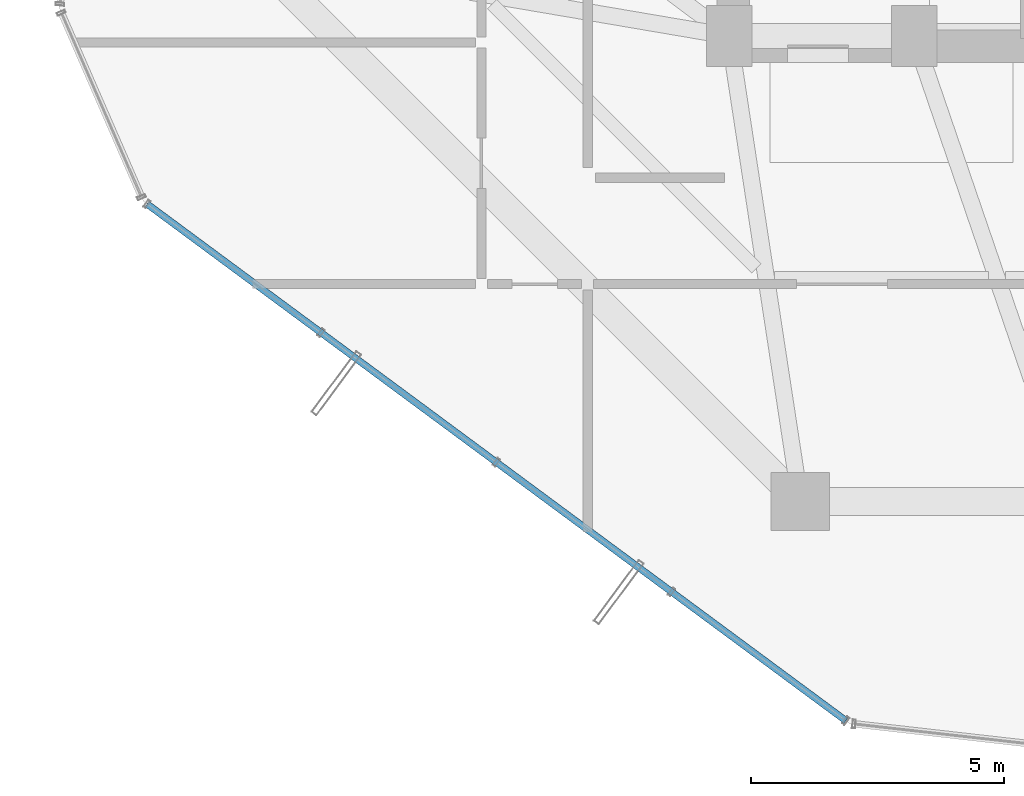
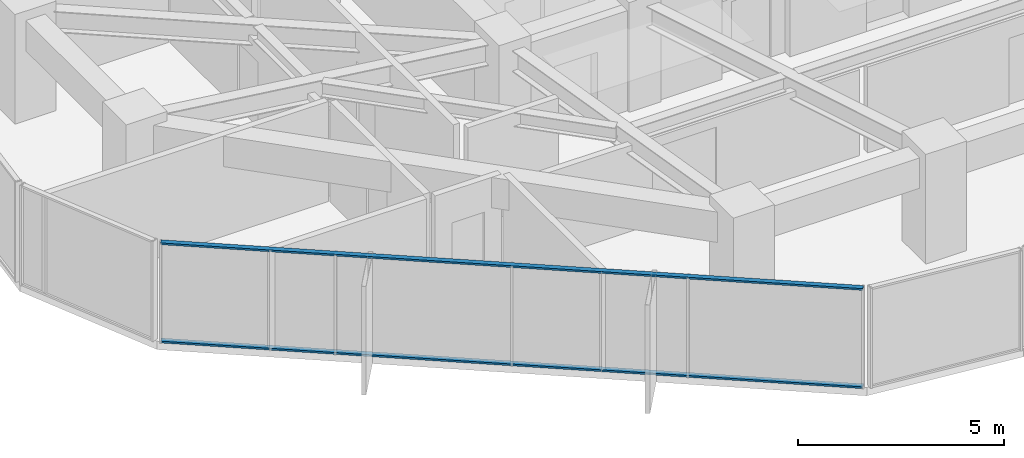
# One storey, part 3 of 29: 2 members, 1 element without a shape of its own.
"""IFC4 building model written with IfcOpenShell, lengths in metres."""

import ifcopenshell
import ifcopenshell.guid

model = None  # the IFC model being written
_history = None  # IfcOwnerHistory: only IFC2X3 demands one
_inside = {}  # id of a spatial element -> (the spatial element, [elements in it])
_under = {}  # id of a project, library or spatial element -> (it, [spatial elements below it])
_declared = {}  # id of a project -> (the project, [libraries it declares])
_typed = {}  # id of a type object -> (the type object, [elements of that type])
_made_of = {}  # id of a material, layer set ... -> (it, [elements and type objects made of it])


def new_model(schema):
    """Start an empty IFC model of exactly this schema.

    Asked for "IFC4X3", IfcOpenShell would pick the latest addendum, in which some entities
    have other attributes; the version numbers below select the first issue.
    IFC2X3 requires an IfcOwnerHistory on every rooted entity: one is made here for all.
    """
    global model, _history
    if schema == "IFC4X3":
        model = ifcopenshell.file(schema_version=(4, 3, 0, 0))
    else:
        model = ifcopenshell.file(schema=schema)
    _inside.clear()
    _under.clear()
    _declared.clear()
    _typed.clear()
    _made_of.clear()
    _history = None
    if model.schema == "IFC2X3":
        org = make("IfcOrganization", Name="unknown")
        user = make(
            "IfcPersonAndOrganization",
            ThePerson=make("IfcPerson", FamilyName="unknown"),
            TheOrganization=org,
        )
        app = make(
            "IfcApplication",
            ApplicationDeveloper=org,
            Version="unknown",
            ApplicationFullName="unknown",
            ApplicationIdentifier="unknown",
        )
        _history = make(
            "IfcOwnerHistory",
            OwningUser=user,
            OwningApplication=app,
            ChangeAction="ADDED",
            CreationDate=0,
        )
    return model


def make(cls, **values):
    """One entity of the class cls with the attributes given. An attribute that is None is left unset."""
    return model.create_entity(
        cls, **{name: value for name, value in values.items() if value is not None}
    )


def rooted(cls, **values):
    """An entity with a GlobalId (a new one), such as an element, a storey or a relation."""
    return make(cls, GlobalId=ifcopenshell.guid.new(), OwnerHistory=_history, **values)


def si_unit(unit_type, name, prefix=None):
    """IfcSIUnit, for example si_unit("LENGTHUNIT", "METRE", prefix="MILLI")."""
    return make("IfcSIUnit", UnitType=unit_type, Prefix=prefix, Name=name)


def assignment(units):
    """IfcUnitAssignment: the units of a project."""
    return None if units is None else make("IfcUnitAssignment", Units=units)


def point(xyz):
    """IfcCartesianPoint."""
    return None if xyz is None else make("IfcCartesianPoint", Coordinates=xyz)


def direction(xyz):
    """IfcDirection."""
    return None if xyz is None else make("IfcDirection", DirectionRatios=xyz)


def frame(location, z_axis=None, x_axis=None):
    """IfcAxis2Placement3D, a coordinate frame: its origin and axes. An axis left out is left unset."""
    return make(
        "IfcAxis2Placement3D",
        Location=point(location),
        Axis=direction(z_axis),
        RefDirection=direction(x_axis),
    )


def frame_2d(location, x_axis=None):
    """IfcAxis2Placement2D, a coordinate frame in the plane: its origin and x axis."""
    return make(
        "IfcAxis2Placement2D", Location=point(location), RefDirection=direction(x_axis)
    )


def origin():
    """The frame at (0, 0, 0) with its axes left unset."""
    return frame((0.0, 0.0, 0.0))


def origin_2d():
    """The frame at (0, 0) in the plane with its x axis left unset."""
    return frame_2d((0.0, 0.0))


def place(relative_to, where):
    """IfcLocalPlacement: puts the frame where relative to a parent placement (None: the world)."""
    return make(
        "IfcLocalPlacement", PlacementRelTo=relative_to, RelativePlacement=where
    )


def context(
    kind, dimensions, precision=None, world=None, true_north=None, identifier=None
):
    """IfcGeometricRepresentationContext, for example the 3D "Model" context."""
    return make(
        "IfcGeometricRepresentationContext",
        ContextIdentifier=identifier,
        ContextType=kind,
        CoordinateSpaceDimension=dimensions,
        Precision=precision,
        WorldCoordinateSystem=world,
        TrueNorth=true_north,
    )


def subcontext(parent, identifier, kind, view, scale=None):
    """IfcGeometricRepresentationSubContext, for example "Body" below "Model"."""
    return make(
        "IfcGeometricRepresentationSubContext",
        ContextIdentifier=identifier,
        ContextType=kind,
        ParentContext=parent,
        TargetScale=scale,
        TargetView=view,
    )


def project(units=None, contexts=None):
    """IfcProject with its units and contexts."""
    return rooted(
        "IfcProject",
        Name="project",
        RepresentationContexts=contexts,
        UnitsInContext=assignment(units),
    )


def spatial(cls, under=None, at=None, **own):
    """A site, building, storey or space (cls), placed at a placement, below another one or the project."""
    s = rooted(cls, ObjectPlacement=at, **own)
    if under is not None:
        _under.setdefault(under.id(), (under, []))[1].append(s)
    return s


def profile(cls, at=None, kind="AREA", **sizes):
    """A parametric profile (cls). Its sizes go by their IFC names, for example OverallWidth=200.0."""
    return make(cls, ProfileType=kind, Position=at, **sizes)


def hollow_rectangle(**sizes):
    """IfcRectangleHollowProfileDef."""
    return profile("IfcRectangleHollowProfileDef", **sizes)


def extrude(swept, where, along, depth):
    """IfcExtrudedAreaSolid: the profile swept, set in the frame where, extruded along a direction by depth."""
    return make(
        "IfcExtrudedAreaSolid",
        SweptArea=swept,
        Position=where,
        ExtrudedDirection=direction(along),
        Depth=depth,
    )


def shape(context_of_items, identifier, shape_type, items):
    """IfcShapeRepresentation: the items that make up one representation, for example the "Body"."""
    return make(
        "IfcShapeRepresentation",
        ContextOfItems=context_of_items,
        RepresentationIdentifier=identifier,
        RepresentationType=shape_type,
        Items=items,
    )


def source(mapping_origin, context_of_items, identifier, shape_type, items):
    """IfcRepresentationMap: a shape defined once, which mapped items show again and again."""
    return make(
        "IfcRepresentationMap",
        MappingOrigin=mapping_origin,
        MappedRepresentation=shape(context_of_items, identifier, shape_type, items),
    )


def transform(
    local_origin,
    x_axis=None,
    y_axis=None,
    z_axis=None,
    scale=None,
    scale2=None,
    scale3=None,
    uniform=True,
):
    """IfcCartesianTransformationOperator3D, or its non-uniform kind. x_axis, y_axis, z_axis: its Axis1, 2, 3."""
    if uniform:
        return make(
            "IfcCartesianTransformationOperator3D",
            Axis1=direction(x_axis),
            Axis2=direction(y_axis),
            LocalOrigin=point(local_origin),
            Scale=scale,
            Axis3=direction(z_axis),
        )
    return make(
        "IfcCartesianTransformationOperator3DnonUniform",
        Axis1=direction(x_axis),
        Axis2=direction(y_axis),
        LocalOrigin=point(local_origin),
        Scale=scale,
        Axis3=direction(z_axis),
        Scale2=scale2,
        Scale3=scale3,
    )


def mapped(mapping_source, mapping_target):
    """IfcMappedItem: shows the shape of a source again, moved by a transform."""
    return make(
        "IfcMappedItem", MappingSource=mapping_source, MappingTarget=mapping_target
    )


def material(Name=None, Category=None):
    """IfcMaterial."""
    return make("IfcMaterial", Name=Name, Category=Category)


def layer(
    of_material, thickness, ventilated=None, Name=None, Category=None, Priority=None
):
    """IfcMaterialLayer: one layer of a wall or slab, of a material (None: an air gap)."""
    return make(
        "IfcMaterialLayer",
        Material=of_material,
        LayerThickness=thickness,
        IsVentilated=ventilated,
        Name=Name,
        Category=Category,
        Priority=Priority,
    )


def layer_set(layers, Name=None):
    """IfcMaterialLayerSet."""
    return make("IfcMaterialLayerSet", MaterialLayers=layers, LayerSetName=Name)


def material_profile(
    of_material, cross_section, Name=None, Category=None, Priority=None
):
    """IfcMaterialProfile: a cross section and its material."""
    return make(
        "IfcMaterialProfile",
        Name=Name,
        Material=of_material,
        Profile=cross_section,
        Priority=Priority,
        Category=Category,
    )


def profile_set(profiles, Name=None, composite=None):
    """IfcMaterialProfileSet."""
    return make(
        "IfcMaterialProfileSet",
        Name=Name,
        MaterialProfiles=profiles,
        CompositeProfile=composite,
    )


def made_of(thing, what):
    """Note that an element or type object is made of a material, layer set ...; save() writes the relation."""
    if what is not None:
        _made_of.setdefault(what.id(), (what, []))[1].append(thing)
    return thing


def type_object(cls, material=None, **own):
    """A type object (cls), such as IfcWallType, which elements share."""
    return made_of(rooted(cls, **own), material)


def element(
    cls,
    number,
    at=None,
    inside=None,
    cuts=None,
    type_object=None,
    material=None,
    context=None,
    identifier="Body",
    shape_type=None,
    held_by="IfcProductDefinitionShape",
    body=None,
    shapes=None,
    **own,
):
    """One element of the class cls, such as IfcWall. Its Tag is "e" and its number.

    at: its placement. inside: the storey or other place that contains it. cuts: it is an
    opening in that element (IfcRelVoidsElement). A single representation is given by context,
    identifier, shape_type and body (its items); several are given by shapes. held_by: the class
    of the entity that holds the representations. save() writes the other relations.
    """
    e = rooted(cls, Tag="e%d" % number, ObjectPlacement=at, **own)
    if body is not None:
        shapes = [shape(context, identifier, shape_type, body)]
    if shapes is not None:
        e.Representation = make(held_by, Representations=shapes)
    if inside is not None:
        _inside.setdefault(inside.id(), (inside, []))[1].append(e)
    if cuts is not None:
        rooted(
            "IfcRelVoidsElement", RelatingBuildingElement=cuts, RelatedOpeningElement=e
        )
    if type_object is not None:
        _typed.setdefault(type_object.id(), (type_object, []))[1].append(e)
    return made_of(e, material)


def aggregate(whole, parts):
    """IfcRelAggregates: a whole, such as a stair, and the parts it consists of."""
    return rooted("IfcRelAggregates", RelatingObject=whole, RelatedObjects=parts)


def save(model, path):
    """Write the relations noted so far, then the file.

    IfcRelAggregates (storeys below a building ...), IfcRelContainedInSpatialStructure (elements
    in a storey), IfcRelDefinesByType, IfcRelAssociatesMaterial and IfcRelDeclares: one each for
    every whole, place, type object, material and project.
    """
    for whole, parts in _under.values():
        aggregate(whole, parts)
    for where, things in _inside.values():
        rooted(
            "IfcRelContainedInSpatialStructure",
            RelatedElements=things,
            RelatingStructure=where,
        )
    for kind, things in _typed.values():
        rooted("IfcRelDefinesByType", RelatedObjects=things, RelatingType=kind)
    for what, things in _made_of.values():
        rooted("IfcRelAssociatesMaterial", RelatedObjects=things, RelatingMaterial=what)
    for by, libraries in _declared.values():
        rooted("IfcRelDeclares", RelatingContext=by, RelatedDefinitions=libraries)
    model.write(path)


model = new_model("IFC4")

# Units and contexts
model_context = context("Model", 3, precision=1e-05, world=origin(), true_north=direction((0.0, 1.0)))
body_context = subcontext(model_context, "Body", "Model", "MODEL_VIEW")
ifc_project = project(units=[si_unit("LENGTHUNIT", "METRE"), si_unit("AREAUNIT", "SQUARE_METRE"), si_unit("VOLUMEUNIT", "CUBIC_METRE"), si_unit("PLANEANGLEUNIT", "RADIAN"), si_unit("MASSUNIT", "GRAM", prefix="KILO")], contexts=[model_context])

# Site, building, storey
site_placement = place(None, origin())
site = spatial("IfcSite", under=ifc_project, at=site_placement, CompositionType="ELEMENT")
building_placement = place(site_placement, origin())
building = spatial("IfcBuilding", under=site, at=building_placement, Name="Veraguas Prism Commons", CompositionType="ELEMENT")
storey_placement = place(building_placement, frame((0.0, 0.0, 105.699951171875)))
storey = spatial("IfcBuildingStorey", under=building, at=storey_placement, Name="L29", CompositionType="ELEMENT", Elevation=105.699951171875)

# Curtain wall, members
ifc_material = material(Name="Anodised aluminium EN AW-6063 T6", Category="aluminium")
ifc_layer = layer(ifc_material, 0.169921875, Name="Unitised Flush Curtain Wall Zone 2", Category="aluminium")
ifc_layer_set = layer_set([ifc_layer], Name="Anodised aluminium EN AW-6063 T6")
curtain_wall_type = type_object("IfcCurtainWallType", Name="Unitised Flush Curtain Wall Zone 2", PredefinedType="NOTDEFINED", material=ifc_layer_set)
curtain_wall_placement = place(storey_placement, origin())
curtain_wall = element("IfcCurtainWall", 1, at=curtain_wall_placement, inside=storey, type_object=curtain_wall_type, Name="Tower Facade Curtain Wall L29-F4", PredefinedType="NOTDEFINED")
ifc_material_profile = material_profile(ifc_material, hollow_rectangle(XDim=0.054931640625, YDim=0.135009765625, WallThickness=0.0029296875, at=origin_2d()), Name="AL55X135X3")
ifc_profile_set = profile_set([ifc_material_profile], Name="Anodised aluminium EN AW-6063 T6")
member_type = type_object("IfcMemberType", Name="Curtain Wall Transom Standard AL 55x135x3", PredefinedType="USERDEFINED", material=ifc_profile_set)
shared_shape = source(origin(), body_context, "Body", "SweptSolid", [
    extrude(hollow_rectangle(XDim=0.054931640625, YDim=0.135009765625, WallThickness=0.0029296875, at=origin_2d()), origin(), (0.0, 0.0, 1.0), 17.174560546875),
])
member_1_placement = place(storey_placement, frame((5.6904296875, 13.681396484375, 0.027587890625), z_axis=(0.804075388824, -0.594527349318, 0.0), x_axis=(0.0, 0.0, 1.0)))
member_1 = element("IfcMember", 2, at=member_1_placement, type_object=member_type, Name="CW-Z2 Transom 1", ObjectType="TRANSOM", PredefinedType="USERDEFINED", context=body_context, shape_type="MappedRepresentation", body=[
    mapped(shared_shape, transform((0.0, 0.0, 0.0), scale=1.0)),
])
member_2_placement = place(storey_placement, frame((5.6904296875, 13.681396484375, 2.942626953125), z_axis=(0.804075388824, -0.594527349318, 0.0), x_axis=(0.0, 0.0, 1.0)))
member_2 = element("IfcMember", 3, at=member_2_placement, type_object=member_type, Name="CW-Z2 Transom 2", ObjectType="TRANSOM", PredefinedType="USERDEFINED", context=body_context, shape_type="MappedRepresentation", body=[
    mapped(shared_shape, transform((0.0, 0.0, 0.0), scale=1.0)),
])
aggregate(curtain_wall, [member_1, member_2])

save(model, "model.ifc")
